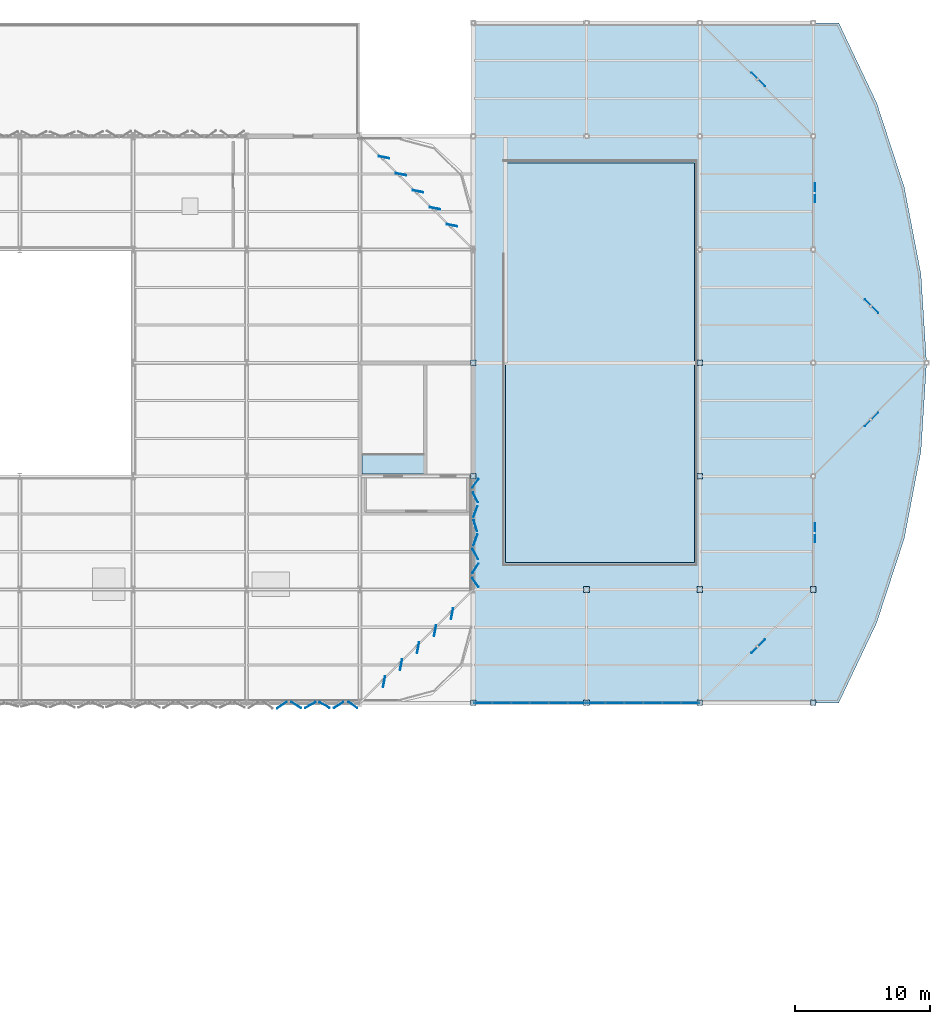
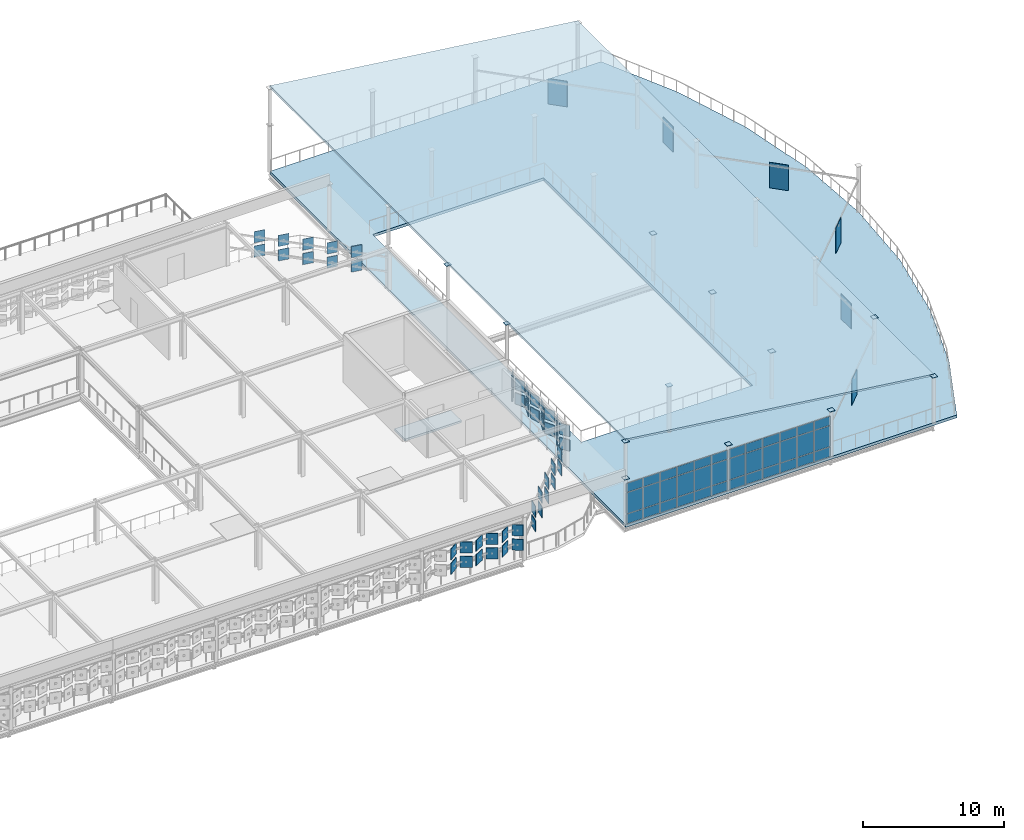
# One storey, part 46 of 65: 102 plates, 3 slabs, 2 elements without a shape of their own.
"""IFC4 building model written with IfcOpenShell, lengths in metres."""

import ifcopenshell
import ifcopenshell.guid

model = None  # the IFC model being written
_history = None  # IfcOwnerHistory: only IFC2X3 demands one
_inside = {}  # id of a spatial element -> (the spatial element, [elements in it])
_under = {}  # id of a project, library or spatial element -> (it, [spatial elements below it])
_declared = {}  # id of a project -> (the project, [libraries it declares])
_typed = {}  # id of a type object -> (the type object, [elements of that type])
_made_of = {}  # id of a material, layer set ... -> (it, [elements and type objects made of it])


def new_model(schema):
    """Start an empty IFC model of exactly this schema.

    Asked for "IFC4X3", IfcOpenShell would pick the latest addendum, in which some entities
    have other attributes; the version numbers below select the first issue.
    IFC2X3 requires an IfcOwnerHistory on every rooted entity: one is made here for all.
    """
    global model, _history
    if schema == "IFC4X3":
        model = ifcopenshell.file(schema_version=(4, 3, 0, 0))
    else:
        model = ifcopenshell.file(schema=schema)
    _inside.clear()
    _under.clear()
    _declared.clear()
    _typed.clear()
    _made_of.clear()
    _history = None
    if model.schema == "IFC2X3":
        org = make("IfcOrganization", Name="unknown")
        user = make(
            "IfcPersonAndOrganization",
            ThePerson=make("IfcPerson", FamilyName="unknown"),
            TheOrganization=org,
        )
        app = make(
            "IfcApplication",
            ApplicationDeveloper=org,
            Version="unknown",
            ApplicationFullName="unknown",
            ApplicationIdentifier="unknown",
        )
        _history = make(
            "IfcOwnerHistory",
            OwningUser=user,
            OwningApplication=app,
            ChangeAction="ADDED",
            CreationDate=0,
        )
    return model


def make(cls, **values):
    """One entity of the class cls with the attributes given. An attribute that is None is left unset."""
    return model.create_entity(
        cls, **{name: value for name, value in values.items() if value is not None}
    )


def rooted(cls, **values):
    """An entity with a GlobalId (a new one), such as an element, a storey or a relation."""
    return make(cls, GlobalId=ifcopenshell.guid.new(), OwnerHistory=_history, **values)


def si_unit(unit_type, name, prefix=None):
    """IfcSIUnit, for example si_unit("LENGTHUNIT", "METRE", prefix="MILLI")."""
    return make("IfcSIUnit", UnitType=unit_type, Prefix=prefix, Name=name)


def assignment(units):
    """IfcUnitAssignment: the units of a project."""
    return None if units is None else make("IfcUnitAssignment", Units=units)


def point(xyz):
    """IfcCartesianPoint."""
    return None if xyz is None else make("IfcCartesianPoint", Coordinates=xyz)


def direction(xyz):
    """IfcDirection."""
    return None if xyz is None else make("IfcDirection", DirectionRatios=xyz)


def frame(location, z_axis=None, x_axis=None):
    """IfcAxis2Placement3D, a coordinate frame: its origin and axes. An axis left out is left unset."""
    return make(
        "IfcAxis2Placement3D",
        Location=point(location),
        Axis=direction(z_axis),
        RefDirection=direction(x_axis),
    )


def frame_2d(location, x_axis=None):
    """IfcAxis2Placement2D, a coordinate frame in the plane: its origin and x axis."""
    return make(
        "IfcAxis2Placement2D", Location=point(location), RefDirection=direction(x_axis)
    )


def origin():
    """The frame at (0, 0, 0) with its axes left unset."""
    return frame((0.0, 0.0, 0.0))


def origin_2d():
    """The frame at (0, 0) in the plane with its x axis left unset."""
    return frame_2d((0.0, 0.0))


def place(relative_to, where):
    """IfcLocalPlacement: puts the frame where relative to a parent placement (None: the world)."""
    return make(
        "IfcLocalPlacement", PlacementRelTo=relative_to, RelativePlacement=where
    )


def context(
    kind, dimensions, precision=None, world=None, true_north=None, identifier=None
):
    """IfcGeometricRepresentationContext, for example the 3D "Model" context."""
    return make(
        "IfcGeometricRepresentationContext",
        ContextIdentifier=identifier,
        ContextType=kind,
        CoordinateSpaceDimension=dimensions,
        Precision=precision,
        WorldCoordinateSystem=world,
        TrueNorth=true_north,
    )


def subcontext(parent, identifier, kind, view, scale=None):
    """IfcGeometricRepresentationSubContext, for example "Body" below "Model"."""
    return make(
        "IfcGeometricRepresentationSubContext",
        ContextIdentifier=identifier,
        ContextType=kind,
        ParentContext=parent,
        TargetScale=scale,
        TargetView=view,
    )


def project(units=None, contexts=None):
    """IfcProject with its units and contexts."""
    return rooted(
        "IfcProject",
        Name="project",
        RepresentationContexts=contexts,
        UnitsInContext=assignment(units),
    )


def spatial(cls, under=None, at=None, **own):
    """A site, building, storey or space (cls), placed at a placement, below another one or the project."""
    s = rooted(cls, ObjectPlacement=at, **own)
    if under is not None:
        _under.setdefault(under.id(), (under, []))[1].append(s)
    return s


def polyline(points):
    """IfcPolyline through the points."""
    return make("IfcPolyline", Points=[point(p) for p in points])


def profile(cls, at=None, kind="AREA", **sizes):
    """A parametric profile (cls). Its sizes go by their IFC names, for example OverallWidth=200.0."""
    return make(cls, ProfileType=kind, Position=at, **sizes)


def rectangle(**sizes):
    """IfcRectangleProfileDef."""
    return profile("IfcRectangleProfileDef", **sizes)


def outline(outer, holes=None, kind="AREA"):
    """IfcArbitraryClosedProfileDef: a profile drawn as a closed curve; with holes, ...WithVoids."""
    if holes is None:
        return make("IfcArbitraryClosedProfileDef", ProfileType=kind, OuterCurve=outer)
    return make(
        "IfcArbitraryProfileDefWithVoids",
        ProfileType=kind,
        OuterCurve=outer,
        InnerCurves=holes,
    )


def extrude(swept, where, along, depth):
    """IfcExtrudedAreaSolid: the profile swept, set in the frame where, extruded along a direction by depth."""
    return make(
        "IfcExtrudedAreaSolid",
        SweptArea=swept,
        Position=where,
        ExtrudedDirection=direction(along),
        Depth=depth,
    )


def shape(context_of_items, identifier, shape_type, items):
    """IfcShapeRepresentation: the items that make up one representation, for example the "Body"."""
    return make(
        "IfcShapeRepresentation",
        ContextOfItems=context_of_items,
        RepresentationIdentifier=identifier,
        RepresentationType=shape_type,
        Items=items,
    )


def material(Name=None, Category=None):
    """IfcMaterial."""
    return make("IfcMaterial", Name=Name, Category=Category)


def layer(
    of_material, thickness, ventilated=None, Name=None, Category=None, Priority=None
):
    """IfcMaterialLayer: one layer of a wall or slab, of a material (None: an air gap)."""
    return make(
        "IfcMaterialLayer",
        Material=of_material,
        LayerThickness=thickness,
        IsVentilated=ventilated,
        Name=Name,
        Category=Category,
        Priority=Priority,
    )


def layer_set(layers, Name=None):
    """IfcMaterialLayerSet."""
    return make("IfcMaterialLayerSet", MaterialLayers=layers, LayerSetName=Name)


def made_of(thing, what):
    """Note that an element or type object is made of a material, layer set ...; save() writes the relation."""
    if what is not None:
        _made_of.setdefault(what.id(), (what, []))[1].append(thing)
    return thing


def type_object(cls, material=None, **own):
    """A type object (cls), such as IfcWallType, which elements share."""
    return made_of(rooted(cls, **own), material)


def element(
    cls,
    number,
    at=None,
    inside=None,
    cuts=None,
    type_object=None,
    material=None,
    context=None,
    identifier="Body",
    shape_type=None,
    held_by="IfcProductDefinitionShape",
    body=None,
    shapes=None,
    **own,
):
    """One element of the class cls, such as IfcWall. Its Tag is "e" and its number.

    at: its placement. inside: the storey or other place that contains it. cuts: it is an
    opening in that element (IfcRelVoidsElement). A single representation is given by context,
    identifier, shape_type and body (its items); several are given by shapes. held_by: the class
    of the entity that holds the representations. save() writes the other relations.
    """
    e = rooted(cls, Tag="e%d" % number, ObjectPlacement=at, **own)
    if body is not None:
        shapes = [shape(context, identifier, shape_type, body)]
    if shapes is not None:
        e.Representation = make(held_by, Representations=shapes)
    if inside is not None:
        _inside.setdefault(inside.id(), (inside, []))[1].append(e)
    if cuts is not None:
        rooted(
            "IfcRelVoidsElement", RelatingBuildingElement=cuts, RelatedOpeningElement=e
        )
    if type_object is not None:
        _typed.setdefault(type_object.id(), (type_object, []))[1].append(e)
    return made_of(e, material)


def aggregate(whole, parts):
    """IfcRelAggregates: a whole, such as a stair, and the parts it consists of."""
    return rooted("IfcRelAggregates", RelatingObject=whole, RelatedObjects=parts)


def save(model, path):
    """Write the relations noted so far, then the file.

    IfcRelAggregates (storeys below a building ...), IfcRelContainedInSpatialStructure (elements
    in a storey), IfcRelDefinesByType, IfcRelAssociatesMaterial and IfcRelDeclares: one each for
    every whole, place, type object, material and project.
    """
    for whole, parts in _under.values():
        aggregate(whole, parts)
    for where, things in _inside.values():
        rooted(
            "IfcRelContainedInSpatialStructure",
            RelatedElements=things,
            RelatingStructure=where,
        )
    for kind, things in _typed.values():
        rooted("IfcRelDefinesByType", RelatedObjects=things, RelatingType=kind)
    for what, things in _made_of.values():
        rooted("IfcRelAssociatesMaterial", RelatedObjects=things, RelatingMaterial=what)
    for by, libraries in _declared.values():
        rooted("IfcRelDeclares", RelatingContext=by, RelatedDefinitions=libraries)
    model.write(path)


model = new_model("IFC4")

# Units and contexts
model_context = context("Model", 3, precision=1e-05, world=origin(), true_north=direction((0.0, 1.0)))
body_context = subcontext(model_context, "Body", "Model", "MODEL_VIEW")
ifc_project = project(units=[si_unit("LENGTHUNIT", "METRE"), si_unit("AREAUNIT", "SQUARE_METRE"), si_unit("VOLUMEUNIT", "CUBIC_METRE"), si_unit("PLANEANGLEUNIT", "RADIAN"), si_unit("MASSUNIT", "GRAM", prefix="KILO")], contexts=[model_context])

# Site, building, storey
site_placement = place(None, origin())
site = spatial("IfcSite", under=ifc_project, at=site_placement, CompositionType="ELEMENT")
building_placement = place(site_placement, origin())
building = spatial("IfcBuilding", under=site, at=building_placement, Name="Qalvenar Corner Mobility Hub", CompositionType="ELEMENT")
storey_placement = place(building_placement, frame((0.0, 0.0, 17.39990234375)))
storey = spatial("IfcBuildingStorey", under=building, at=storey_placement, Name="L04", CompositionType="ELEMENT", Elevation=17.39990234375)

# Plates
ifc_material_1 = material(Name="Steel S355", Category="steel")
ifc_layer_1 = layer(ifc_material_1, 0.02490234375)
ifc_layer_set_1 = layer_set([ifc_layer_1], Name="Steel S355")
plate_type_1 = type_object("IfcPlateType", Name="PLT-CAP25", PredefinedType="SHEET", material=ifc_layer_set_1)
for number, where, z_axis, x_axis, name in (
    (1, (142.800048828125, 67.199951171875, 4.030029296875), (0.0, 0.0, 1.0), (1.0, 0.0, 0.0), "Hollow Column Top Cap Plate L04-G18-8"),
    (2, (151.199951171875, 67.199951171875, 4.030029296875), (0.0, 0.0, 1.0), (1.0, 0.0, 0.0), "Hollow Column Top Cap Plate L04-G19-8"),
    (3, (151.199951171875, 75.60009765625, 4.030029296875), (0.0, 0.0, 1.0), (1.0, 0.0, 0.0), "Hollow Column Top Cap Plate L04-G19-9"),
    (4, (159.60009765625, 67.199951171875, 4.030029296875), (0.0, 0.0, 1.0), (1.0, 0.0, 0.0), "Hollow Column Top Cap Plate L04-G20-8"),
    (5, (159.60009765625, 75.60009765625, 4.030029296875), (0.0, 0.0, 1.0), (1.0, 0.0, 0.0), "Hollow Column Top Cap Plate L04-G20-9"),
    (6, (159.60009765625, 84.0, 4.030029296875), (0.0, 0.0, 1.0), (1.0, 0.0, 0.0), "Hollow Column Top Cap Plate L04-G20-10"),
    (7, (159.60009765625, 92.39990234375, 4.030029296875), (0.0, 0.0, 1.0), (1.0, 0.0, 0.0), "Hollow Column Top Cap Plate L04-G20-11"),
    (8, (168.0, 67.199951171875, 4.030029296875), (0.0, 0.0, 1.0), (1.0, 0.0, 0.0), "Hollow Column Top Cap Plate L04-G21-8"),
    (9, (168.0, 75.60009765625, 4.030029296875), (0.0, 0.0, 1.0), (1.0, 0.0, 0.0), "Hollow Column Top Cap Plate L04-G21-9"),
    (10, (142.800048828125, 67.199951171875, 7.230224609375), (0.0, 0.0, 1.0), (1.0, 0.0, 0.0), "Rotunda Ridge Post Cap Plate V2R-67"),
    (11, (142.800048828125, 84.0, 7.230224609375), (0.0, 0.0, 1.0), (1.0, 0.0, 0.0), "Rotunda Ridge Post Cap Plate V2R-84"),
    (12, (142.800048828125, 92.39990234375, 7.230224609375), (0.0, 0.0, 1.0), (1.0, 0.0, 0.0), "Rotunda Ridge Post Cap Plate V2R-92"),
):
    element("IfcPlate", number, at=place(storey_placement, frame(where, z_axis=z_axis, x_axis=x_axis)), inside=storey, type_object=plate_type_1, Name=name, PredefinedType="SHEET", context=body_context, shape_type="SweptSolid", body=[
        extrude(rectangle(XDim=0.419921875, YDim=0.419921875, at=origin_2d()), origin(), (0.0, 0.0, 1.0), 0.02490234375),
    ])

# Curtain wall, plates
ifc_material_2 = material(Name="Anodised Aluminium and Low-E Glazing", Category="aluminium")
ifc_layer_2 = layer(ifc_material_2, 0.1201171875)
ifc_layer_set_2 = layer_set([ifc_layer_2], Name="Anodised Aluminium and Low-E Glazing")
curtain_wall_type = type_object("IfcCurtainWallType", Name="CW-STR-42X40", PredefinedType="NOTDEFINED", material=ifc_layer_set_2)
curtain_wall_1_placement = place(storey_placement, origin())
curtain_wall_1 = element("IfcCurtainWall", 13, at=curtain_wall_1_placement, inside=storey, type_object=curtain_wall_type, Name="Glazed Curtain Wall CW-V2-L04-S0", PredefinedType="NOTDEFINED")
ifc_material_3 = material(Name="Solar-Control Low-E Double Glazing", Category="glass")
ifc_layer_3 = layer(ifc_material_3, 0.028076171875)
ifc_layer_set_3 = layer_set([ifc_layer_3], Name="Solar-Control Low-E Double Glazing")
plate_type_2 = type_object("IfcPlateType", Name="PLT-CWP-GLZ1", PredefinedType="CURTAIN_PANEL", material=ifc_layer_set_3)
plate_1_placement = place(storey_placement, frame((143.514892578125, 67.199951171875, 0.05517578125), z_axis=(0.0, 0.0, 1.0), x_axis=(1.0, 0.0, 0.0)))
plate_1 = element("IfcPlate", 14, at=plate_1_placement, type_object=plate_type_2, Name="CW-10 panel 1.1", PredefinedType="CURTAIN_PANEL", context=body_context, shape_type="SweptSolid", body=[
    extrude(rectangle(XDim=1.31005859375, YDim=0.028076171875, at=origin_2d()), origin(), (0.0, 0.0, 1.0), 0.8173828125),
])
plate_2_placement = place(storey_placement, frame((143.514892578125, 67.199951171875, 0.927734375), z_axis=(0.0, 0.0, 1.0), x_axis=(1.0, 0.0, 0.0)))
plate_2 = element("IfcPlate", 15, at=plate_2_placement, type_object=plate_type_2, Name="CW-10 panel 1.2", PredefinedType="CURTAIN_PANEL", context=body_context, shape_type="SweptSolid", body=[
    extrude(rectangle(XDim=1.31005859375, YDim=0.028076171875, at=origin_2d()), origin(), (0.0, 0.0, 1.0), 1.794921875),
])
plate_3_placement = place(storey_placement, frame((143.514892578125, 67.199951171875, 2.777587890625), z_axis=(0.0, 0.0, 1.0), x_axis=(1.0, 0.0, 0.0)))
plate_3 = element("IfcPlate", 16, at=plate_3_placement, type_object=plate_type_2, Name="CW-10 panel 1.3", PredefinedType="CURTAIN_PANEL", context=body_context, shape_type="SweptSolid", body=[
    extrude(rectangle(XDim=1.31005859375, YDim=0.028076171875, at=origin_2d()), origin(), (0.0, 0.0, 1.0), 0.767578125),
])
plate_4_placement = place(storey_placement, frame((144.89990234375, 67.199951171875, 0.05517578125), z_axis=(0.0, 0.0, 1.0), x_axis=(1.0, 0.0, 0.0)))
plate_4 = element("IfcPlate", 17, at=plate_4_placement, type_object=plate_type_2, Name="CW-10 panel 2.1", PredefinedType="CURTAIN_PANEL", context=body_context, shape_type="SweptSolid", body=[
    extrude(rectangle(XDim=1.340087890625, YDim=0.028076171875, at=origin_2d()), origin(), (0.0, 0.0, 1.0), 0.8173828125),
])
plate_5_placement = place(storey_placement, frame((144.89990234375, 67.199951171875, 0.927734375), z_axis=(0.0, 0.0, 1.0), x_axis=(1.0, 0.0, 0.0)))
plate_5 = element("IfcPlate", 18, at=plate_5_placement, type_object=plate_type_2, Name="CW-10 panel 2.2", PredefinedType="CURTAIN_PANEL", context=body_context, shape_type="SweptSolid", body=[
    extrude(rectangle(XDim=1.340087890625, YDim=0.028076171875, at=origin_2d()), origin(), (0.0, 0.0, 1.0), 1.794921875),
])
plate_6_placement = place(storey_placement, frame((144.89990234375, 67.199951171875, 2.777587890625), z_axis=(0.0, 0.0, 1.0), x_axis=(1.0, 0.0, 0.0)))
plate_6 = element("IfcPlate", 19, at=plate_6_placement, type_object=plate_type_2, Name="CW-10 panel 2.3", PredefinedType="CURTAIN_PANEL", context=body_context, shape_type="SweptSolid", body=[
    extrude(rectangle(XDim=1.340087890625, YDim=0.028076171875, at=origin_2d()), origin(), (0.0, 0.0, 1.0), 0.767578125),
])
plate_7_placement = place(storey_placement, frame((146.300048828125, 67.199951171875, 0.05517578125), z_axis=(0.0, 0.0, 1.0), x_axis=(1.0, 0.0, 0.0)))
plate_7 = element("IfcPlate", 20, at=plate_7_placement, type_object=plate_type_2, Name="CW-10 panel 3.1", PredefinedType="CURTAIN_PANEL", context=body_context, shape_type="SweptSolid", body=[
    extrude(rectangle(XDim=1.340087890625, YDim=0.028076171875, at=origin_2d()), origin(), (0.0, 0.0, 1.0), 0.8173828125),
])
plate_8_placement = place(storey_placement, frame((146.300048828125, 67.199951171875, 0.927734375), z_axis=(0.0, 0.0, 1.0), x_axis=(1.0, 0.0, 0.0)))
plate_8 = element("IfcPlate", 21, at=plate_8_placement, type_object=plate_type_2, Name="CW-10 panel 3.2", PredefinedType="CURTAIN_PANEL", context=body_context, shape_type="SweptSolid", body=[
    extrude(rectangle(XDim=1.340087890625, YDim=0.028076171875, at=origin_2d()), origin(), (0.0, 0.0, 1.0), 1.794921875),
])
plate_9_placement = place(storey_placement, frame((146.300048828125, 67.199951171875, 2.777587890625), z_axis=(0.0, 0.0, 1.0), x_axis=(1.0, 0.0, 0.0)))
plate_9 = element("IfcPlate", 22, at=plate_9_placement, type_object=plate_type_2, Name="CW-10 panel 3.3", PredefinedType="CURTAIN_PANEL", context=body_context, shape_type="SweptSolid", body=[
    extrude(rectangle(XDim=1.340087890625, YDim=0.028076171875, at=origin_2d()), origin(), (0.0, 0.0, 1.0), 0.767578125),
])
plate_10_placement = place(storey_placement, frame((147.699951171875, 67.199951171875, 0.05517578125), z_axis=(0.0, 0.0, 1.0), x_axis=(1.0, 0.0, 0.0)))
plate_10 = element("IfcPlate", 23, at=plate_10_placement, type_object=plate_type_2, Name="CW-10 panel 4.1", PredefinedType="CURTAIN_PANEL", context=body_context, shape_type="SweptSolid", body=[
    extrude(rectangle(XDim=1.340087890625, YDim=0.028076171875, at=origin_2d()), origin(), (0.0, 0.0, 1.0), 0.8173828125),
])
plate_11_placement = place(storey_placement, frame((147.699951171875, 67.199951171875, 0.927734375), z_axis=(0.0, 0.0, 1.0), x_axis=(1.0, 0.0, 0.0)))
plate_11 = element("IfcPlate", 24, at=plate_11_placement, type_object=plate_type_2, Name="CW-10 panel 4.2", PredefinedType="CURTAIN_PANEL", context=body_context, shape_type="SweptSolid", body=[
    extrude(rectangle(XDim=1.340087890625, YDim=0.028076171875, at=origin_2d()), origin(), (0.0, 0.0, 1.0), 1.794921875),
])
plate_12_placement = place(storey_placement, frame((147.699951171875, 67.199951171875, 2.777587890625), z_axis=(0.0, 0.0, 1.0), x_axis=(1.0, 0.0, 0.0)))
plate_12 = element("IfcPlate", 25, at=plate_12_placement, type_object=plate_type_2, Name="CW-10 panel 4.3", PredefinedType="CURTAIN_PANEL", context=body_context, shape_type="SweptSolid", body=[
    extrude(rectangle(XDim=1.340087890625, YDim=0.028076171875, at=origin_2d()), origin(), (0.0, 0.0, 1.0), 0.767578125),
])
plate_13_placement = place(storey_placement, frame((149.10009765625, 67.199951171875, 0.05517578125), z_axis=(0.0, 0.0, 1.0), x_axis=(1.0, 0.0, 0.0)))
plate_13 = element("IfcPlate", 26, at=plate_13_placement, type_object=plate_type_2, Name="CW-10 panel 5.1", PredefinedType="CURTAIN_PANEL", context=body_context, shape_type="SweptSolid", body=[
    extrude(rectangle(XDim=1.340087890625, YDim=0.028076171875, at=origin_2d()), origin(), (0.0, 0.0, 1.0), 0.8173828125),
])
plate_14_placement = place(storey_placement, frame((149.10009765625, 67.199951171875, 0.927734375), z_axis=(0.0, 0.0, 1.0), x_axis=(1.0, 0.0, 0.0)))
plate_14 = element("IfcPlate", 27, at=plate_14_placement, type_object=plate_type_2, Name="CW-10 panel 5.2", PredefinedType="CURTAIN_PANEL", context=body_context, shape_type="SweptSolid", body=[
    extrude(rectangle(XDim=1.340087890625, YDim=0.028076171875, at=origin_2d()), origin(), (0.0, 0.0, 1.0), 1.794921875),
])
plate_15_placement = place(storey_placement, frame((149.10009765625, 67.199951171875, 2.777587890625), z_axis=(0.0, 0.0, 1.0), x_axis=(1.0, 0.0, 0.0)))
plate_15 = element("IfcPlate", 28, at=plate_15_placement, type_object=plate_type_2, Name="CW-10 panel 5.3", PredefinedType="CURTAIN_PANEL", context=body_context, shape_type="SweptSolid", body=[
    extrude(rectangle(XDim=1.340087890625, YDim=0.028076171875, at=origin_2d()), origin(), (0.0, 0.0, 1.0), 0.767578125),
])
plate_16_placement = place(storey_placement, frame((150.485107421875, 67.199951171875, 0.05517578125), z_axis=(0.0, 0.0, 1.0), x_axis=(1.0, 0.0, 0.0)))
plate_16 = element("IfcPlate", 29, at=plate_16_placement, type_object=plate_type_2, Name="CW-10 panel 6.1", PredefinedType="CURTAIN_PANEL", context=body_context, shape_type="SweptSolid", body=[
    extrude(rectangle(XDim=1.31005859375, YDim=0.028076171875, at=origin_2d()), origin(), (0.0, 0.0, 1.0), 0.8173828125),
])
plate_17_placement = place(storey_placement, frame((150.485107421875, 67.199951171875, 0.927734375), z_axis=(0.0, 0.0, 1.0), x_axis=(1.0, 0.0, 0.0)))
plate_17 = element("IfcPlate", 30, at=plate_17_placement, type_object=plate_type_2, Name="CW-10 panel 6.2", PredefinedType="CURTAIN_PANEL", context=body_context, shape_type="SweptSolid", body=[
    extrude(rectangle(XDim=1.31005859375, YDim=0.028076171875, at=origin_2d()), origin(), (0.0, 0.0, 1.0), 1.794921875),
])
plate_18_placement = place(storey_placement, frame((150.485107421875, 67.199951171875, 2.777587890625), z_axis=(0.0, 0.0, 1.0), x_axis=(1.0, 0.0, 0.0)))
plate_18 = element("IfcPlate", 31, at=plate_18_placement, type_object=plate_type_2, Name="CW-10 panel 6.3", PredefinedType="CURTAIN_PANEL", context=body_context, shape_type="SweptSolid", body=[
    extrude(rectangle(XDim=1.31005859375, YDim=0.028076171875, at=origin_2d()), origin(), (0.0, 0.0, 1.0), 0.767578125),
])
aggregate(curtain_wall_1, [plate_1, plate_2, plate_3, plate_4, plate_5, plate_6, plate_7, plate_8, plate_9, plate_10, plate_11, plate_12, plate_13, plate_14, plate_15, plate_16, plate_17, plate_18])

curtain_wall_2_placement = place(storey_placement, origin())
curtain_wall_2 = element("IfcCurtainWall", 32, at=curtain_wall_2_placement, inside=storey, type_object=curtain_wall_type, Name="Glazed Curtain Wall CW-V2-L04-S1", PredefinedType="NOTDEFINED")
plate_19_placement = place(storey_placement, frame((151.9150390625, 67.199951171875, 0.05517578125), z_axis=(0.0, 0.0, 1.0), x_axis=(1.0, 0.0, 0.0)))
plate_19 = element("IfcPlate", 33, at=plate_19_placement, type_object=plate_type_2, Name="CW-10 panel 1.1", PredefinedType="CURTAIN_PANEL", context=body_context, shape_type="SweptSolid", body=[
    extrude(rectangle(XDim=1.31005859375, YDim=0.028076171875, at=origin_2d()), origin(), (0.0, 0.0, 1.0), 0.8173828125),
])
plate_20_placement = place(storey_placement, frame((151.9150390625, 67.199951171875, 0.927734375), z_axis=(0.0, 0.0, 1.0), x_axis=(1.0, 0.0, 0.0)))
plate_20 = element("IfcPlate", 34, at=plate_20_placement, type_object=plate_type_2, Name="CW-10 panel 1.2", PredefinedType="CURTAIN_PANEL", context=body_context, shape_type="SweptSolid", body=[
    extrude(rectangle(XDim=1.31005859375, YDim=0.028076171875, at=origin_2d()), origin(), (0.0, 0.0, 1.0), 1.794921875),
])
plate_21_placement = place(storey_placement, frame((151.9150390625, 67.199951171875, 2.777587890625), z_axis=(0.0, 0.0, 1.0), x_axis=(1.0, 0.0, 0.0)))
plate_21 = element("IfcPlate", 35, at=plate_21_placement, type_object=plate_type_2, Name="CW-10 panel 1.3", PredefinedType="CURTAIN_PANEL", context=body_context, shape_type="SweptSolid", body=[
    extrude(rectangle(XDim=1.31005859375, YDim=0.028076171875, at=origin_2d()), origin(), (0.0, 0.0, 1.0), 0.767578125),
])
plate_22_placement = place(storey_placement, frame((153.300048828125, 67.199951171875, 0.05517578125), z_axis=(0.0, 0.0, 1.0), x_axis=(1.0, 0.0, 0.0)))
plate_22 = element("IfcPlate", 36, at=plate_22_placement, type_object=plate_type_2, Name="CW-10 panel 2.1", PredefinedType="CURTAIN_PANEL", context=body_context, shape_type="SweptSolid", body=[
    extrude(rectangle(XDim=1.340087890625, YDim=0.028076171875, at=origin_2d()), origin(), (0.0, 0.0, 1.0), 0.8173828125),
])
plate_23_placement = place(storey_placement, frame((153.300048828125, 67.199951171875, 0.927734375), z_axis=(0.0, 0.0, 1.0), x_axis=(1.0, 0.0, 0.0)))
plate_23 = element("IfcPlate", 37, at=plate_23_placement, type_object=plate_type_2, Name="CW-10 panel 2.2", PredefinedType="CURTAIN_PANEL", context=body_context, shape_type="SweptSolid", body=[
    extrude(rectangle(XDim=1.340087890625, YDim=0.028076171875, at=origin_2d()), origin(), (0.0, 0.0, 1.0), 1.794921875),
])
plate_24_placement = place(storey_placement, frame((153.300048828125, 67.199951171875, 2.777587890625), z_axis=(0.0, 0.0, 1.0), x_axis=(1.0, 0.0, 0.0)))
plate_24 = element("IfcPlate", 38, at=plate_24_placement, type_object=plate_type_2, Name="CW-10 panel 2.3", PredefinedType="CURTAIN_PANEL", context=body_context, shape_type="SweptSolid", body=[
    extrude(rectangle(XDim=1.340087890625, YDim=0.028076171875, at=origin_2d()), origin(), (0.0, 0.0, 1.0), 0.767578125),
])
plate_25_placement = place(storey_placement, frame((154.699951171875, 67.199951171875, 0.05517578125), z_axis=(0.0, 0.0, 1.0), x_axis=(1.0, 0.0, 0.0)))
plate_25 = element("IfcPlate", 39, at=plate_25_placement, type_object=plate_type_2, Name="CW-10 panel 3.1", PredefinedType="CURTAIN_PANEL", context=body_context, shape_type="SweptSolid", body=[
    extrude(rectangle(XDim=1.340087890625, YDim=0.028076171875, at=origin_2d()), origin(), (0.0, 0.0, 1.0), 0.8173828125),
])
plate_26_placement = place(storey_placement, frame((154.699951171875, 67.199951171875, 0.927734375), z_axis=(0.0, 0.0, 1.0), x_axis=(1.0, 0.0, 0.0)))
plate_26 = element("IfcPlate", 40, at=plate_26_placement, type_object=plate_type_2, Name="CW-10 panel 3.2", PredefinedType="CURTAIN_PANEL", context=body_context, shape_type="SweptSolid", body=[
    extrude(rectangle(XDim=1.340087890625, YDim=0.028076171875, at=origin_2d()), origin(), (0.0, 0.0, 1.0), 1.794921875),
])
plate_27_placement = place(storey_placement, frame((154.699951171875, 67.199951171875, 2.777587890625), z_axis=(0.0, 0.0, 1.0), x_axis=(1.0, 0.0, 0.0)))
plate_27 = element("IfcPlate", 41, at=plate_27_placement, type_object=plate_type_2, Name="CW-10 panel 3.3", PredefinedType="CURTAIN_PANEL", context=body_context, shape_type="SweptSolid", body=[
    extrude(rectangle(XDim=1.340087890625, YDim=0.028076171875, at=origin_2d()), origin(), (0.0, 0.0, 1.0), 0.767578125),
])
plate_28_placement = place(storey_placement, frame((156.10009765625, 67.199951171875, 0.05517578125), z_axis=(0.0, 0.0, 1.0), x_axis=(1.0, 0.0, 0.0)))
plate_28 = element("IfcPlate", 42, at=plate_28_placement, type_object=plate_type_2, Name="CW-10 panel 4.1", PredefinedType="CURTAIN_PANEL", context=body_context, shape_type="SweptSolid", body=[
    extrude(rectangle(XDim=1.340087890625, YDim=0.028076171875, at=origin_2d()), origin(), (0.0, 0.0, 1.0), 0.8173828125),
])
plate_29_placement = place(storey_placement, frame((156.10009765625, 67.199951171875, 0.927734375), z_axis=(0.0, 0.0, 1.0), x_axis=(1.0, 0.0, 0.0)))
plate_29 = element("IfcPlate", 43, at=plate_29_placement, type_object=plate_type_2, Name="CW-10 panel 4.2", PredefinedType="CURTAIN_PANEL", context=body_context, shape_type="SweptSolid", body=[
    extrude(rectangle(XDim=1.340087890625, YDim=0.028076171875, at=origin_2d()), origin(), (0.0, 0.0, 1.0), 1.794921875),
])
plate_30_placement = place(storey_placement, frame((156.10009765625, 67.199951171875, 2.777587890625), z_axis=(0.0, 0.0, 1.0), x_axis=(1.0, 0.0, 0.0)))
plate_30 = element("IfcPlate", 44, at=plate_30_placement, type_object=plate_type_2, Name="CW-10 panel 4.3", PredefinedType="CURTAIN_PANEL", context=body_context, shape_type="SweptSolid", body=[
    extrude(rectangle(XDim=1.340087890625, YDim=0.028076171875, at=origin_2d()), origin(), (0.0, 0.0, 1.0), 0.767578125),
])
plate_31_placement = place(storey_placement, frame((157.5, 67.199951171875, 0.05517578125), z_axis=(0.0, 0.0, 1.0), x_axis=(1.0, 0.0, 0.0)))
plate_31 = element("IfcPlate", 45, at=plate_31_placement, type_object=plate_type_2, Name="CW-10 panel 5.1", PredefinedType="CURTAIN_PANEL", context=body_context, shape_type="SweptSolid", body=[
    extrude(rectangle(XDim=1.340087890625, YDim=0.028076171875, at=origin_2d()), origin(), (0.0, 0.0, 1.0), 0.8173828125),
])
plate_32_placement = place(storey_placement, frame((157.5, 67.199951171875, 0.927734375), z_axis=(0.0, 0.0, 1.0), x_axis=(1.0, 0.0, 0.0)))
plate_32 = element("IfcPlate", 46, at=plate_32_placement, type_object=plate_type_2, Name="CW-10 panel 5.2", PredefinedType="CURTAIN_PANEL", context=body_context, shape_type="SweptSolid", body=[
    extrude(rectangle(XDim=1.340087890625, YDim=0.028076171875, at=origin_2d()), origin(), (0.0, 0.0, 1.0), 1.794921875),
])
plate_33_placement = place(storey_placement, frame((157.5, 67.199951171875, 2.777587890625), z_axis=(0.0, 0.0, 1.0), x_axis=(1.0, 0.0, 0.0)))
plate_33 = element("IfcPlate", 47, at=plate_33_placement, type_object=plate_type_2, Name="CW-10 panel 5.3", PredefinedType="CURTAIN_PANEL", context=body_context, shape_type="SweptSolid", body=[
    extrude(rectangle(XDim=1.340087890625, YDim=0.028076171875, at=origin_2d()), origin(), (0.0, 0.0, 1.0), 0.767578125),
])
plate_34_placement = place(storey_placement, frame((158.885009765625, 67.199951171875, 0.05517578125), z_axis=(0.0, 0.0, 1.0), x_axis=(1.0, 0.0, 0.0)))
plate_34 = element("IfcPlate", 48, at=plate_34_placement, type_object=plate_type_2, Name="CW-10 panel 6.1", PredefinedType="CURTAIN_PANEL", context=body_context, shape_type="SweptSolid", body=[
    extrude(rectangle(XDim=1.31005859375, YDim=0.028076171875, at=origin_2d()), origin(), (0.0, 0.0, 1.0), 0.8173828125),
])
plate_35_placement = place(storey_placement, frame((158.885009765625, 67.199951171875, 0.927734375), z_axis=(0.0, 0.0, 1.0), x_axis=(1.0, 0.0, 0.0)))
plate_35 = element("IfcPlate", 49, at=plate_35_placement, type_object=plate_type_2, Name="CW-10 panel 6.2", PredefinedType="CURTAIN_PANEL", context=body_context, shape_type="SweptSolid", body=[
    extrude(rectangle(XDim=1.31005859375, YDim=0.028076171875, at=origin_2d()), origin(), (0.0, 0.0, 1.0), 1.794921875),
])
plate_36_placement = place(storey_placement, frame((158.885009765625, 67.199951171875, 2.777587890625), z_axis=(0.0, 0.0, 1.0), x_axis=(1.0, 0.0, 0.0)))
plate_36 = element("IfcPlate", 50, at=plate_36_placement, type_object=plate_type_2, Name="CW-10 panel 6.3", PredefinedType="CURTAIN_PANEL", context=body_context, shape_type="SweptSolid", body=[
    extrude(rectangle(XDim=1.31005859375, YDim=0.028076171875, at=origin_2d()), origin(), (0.0, 0.0, 1.0), 0.767578125),
])
aggregate(curtain_wall_2, [plate_19, plate_20, plate_21, plate_22, plate_23, plate_24, plate_25, plate_26, plate_27, plate_28, plate_29, plate_30, plate_31, plate_32, plate_33, plate_34, plate_35, plate_36])

# Plates
ifc_material_4 = material(Name="Perforated Bronze-Anodised Aluminium", Category="aluminium")
ifc_layer_4 = layer(ifc_material_4, 0.030029296875)
ifc_layer_set_4 = layer_set([ifc_layer_4], Name="Perforated Bronze-Anodised Aluminium")
plate_type_3 = type_object("IfcPlateType", Name="PLT-SCR-ROT", PredefinedType="SHEET", material=ifc_layer_set_4)
for number, where, z_axis, x_axis, name in (
    (51, (163.919921875, 71.39990234375, 0.85009765625), (0.0, 0.0, 1.0), (0.707106781187, 0.707106781187, 0.0), "Rotunda Sun Screen SC1-L04-1"),
    (52, (168.1201171875, 79.800048828125, 0.85009765625), (0.0, 0.0, 1.0), (0.0, 1.0, 0.0), "Rotunda Sun Screen SC1-L04-2"),
    (53, (172.320068359375, 88.199951171875, 0.85009765625), (0.0, 0.0, 1.0), (0.707106781187, 0.707106781187, 0.0), "Rotunda Sun Screen SC1-L04-3"),
    (54, (172.320068359375, 96.60009765625, 0.85009765625), (0.0, 0.0, 1.0), (-0.707106781187, 0.707106781187, 0.0), "Rotunda Sun Screen SC1-L04-4"),
    (55, (168.1201171875, 105.0, 0.85009765625), (0.0, 0.0, 1.0), (0.0, 1.0, 0.0), "Rotunda Sun Screen SC1-L04-5"),
    (56, (163.919921875, 113.39990234375, 0.85009765625), (0.0, 0.0, 1.0), (-0.707106781187, 0.707106781187, 0.0), "Rotunda Sun Screen SC1-L04-6"),
):
    element("IfcPlate", number, at=place(storey_placement, frame(where, z_axis=z_axis, x_axis=x_axis)), inside=storey, type_object=plate_type_3, Name=name, PredefinedType="SHEET", context=body_context, shape_type="SweptSolid", body=[
        extrude(rectangle(XDim=1.39990234375, YDim=0.030029296875, at=origin_2d()), origin(), (0.0, 0.0, 1.0), 2.199951171875),
    ])
ifc_material_5 = material(Name="Champagne-Silver Brushed Aluminium", Category="aluminium")
ifc_layer_5 = layer(ifc_material_5, 0.048095703125)
ifc_layer_set_5 = layer_set([ifc_layer_5], Name="Champagne-Silver Brushed Aluminium")
plate_type_4 = type_object("IfcPlateType", Name="PLT-XC-L4-CRN", PredefinedType="SHEET", material=ifc_layer_set_5)
for number, where, z_axis, x_axis, name in (
    (57, (132.824951171875, 67.0400390625, 1.02001953125), (0.0, 0.0, 1.0), (0.854005138885, 0.520264569962, 0.0), "Hinged Facade Panel FP-L04-1205"),
    (58, (132.824951171875, 67.0400390625, 2.27001953125), (0.0, 0.0, 1.0), (0.854005138885, 0.520264569962, 0.0), "Hinged Facade Panel FP-L04-1206"),
    (59, (133.875, 67.0400390625, 1.02001953125), (0.0, 0.0, 1.0), (0.819152044289, -0.573576436351, 0.0), "Hinged Facade Panel FP-L04-1207"),
    (60, (133.875, 67.0400390625, 2.27001953125), (0.0, 0.0, 1.0), (0.819152044289, -0.573576436351, 0.0), "Hinged Facade Panel FP-L04-1208"),
    (61, (142.9599609375, 76.125, 1.02001953125), (0.0, 0.0, 1.0), (-0.57157316004, 0.820551109147, 0.0), "Hinged Facade Panel FP-L04-1353"),
    (62, (142.9599609375, 76.125, 2.27001953125), (0.0, 0.0, 1.0), (-0.57157316004, 0.820551109147, 0.0), "Hinged Facade Panel FP-L04-1354"),
    (63, (142.9599609375, 77.175048828125, 1.02001953125), (0.0, 0.0, 1.0), (0.53862374112, 0.842546417417, 0.0), "Hinged Facade Panel FP-L04-1355"),
    (64, (142.9599609375, 77.175048828125, 2.27001953125), (0.0, 0.0, 1.0), (0.53862374112, 0.842546417417, 0.0), "Hinged Facade Panel FP-L04-1356"),
    (65, (142.9599609375, 82.425048828125, 1.02001953125), (0.0, 0.0, 1.0), (-0.446666338461, 0.894700610308, 0.0), "Hinged Facade Panel FP-L04-1365"),
    (66, (142.9599609375, 82.425048828125, 2.27001953125), (0.0, 0.0, 1.0), (-0.446666338461, 0.894700610308, 0.0), "Hinged Facade Panel FP-L04-1366"),
    (67, (142.9599609375, 83.47509765625, 1.02001953125), (0.0, 0.0, 1.0), (0.572575225515, 0.819852188584, 0.0), "Hinged Facade Panel FP-L04-1367"),
    (68, (142.9599609375, 83.47509765625, 2.27001953125), (0.0, 0.0, 1.0), (0.572575225515, 0.819852188584, 0.0), "Hinged Facade Panel FP-L04-1368"),
    (69, (136.193115234375, 68.766845703125, 1.02001953125), (0.0, 0.0, 1.0), (0.190808995377, 0.981627183448, 0.0), "Corner Hinged Panel FPC-L04-1379"),
    (70, (137.453125, 70.02685546875, 1.02001953125), (0.0, 0.0, 1.0), (0.190808995377, 0.981627183448, 0.0), "Corner Hinged Panel FPC-L04-1380"),
    (71, (138.713134765625, 71.286865234375, 1.02001953125), (0.0, 0.0, 1.0), (0.190808995377, 0.981627183448, 0.0), "Corner Hinged Panel FPC-L04-1381"),
    (72, (139.97314453125, 72.546875, 1.02001953125), (0.0, 0.0, 1.0), (0.190808995377, 0.981627183448, 0.0), "Corner Hinged Panel FPC-L04-1382"),
    (73, (141.233154296875, 73.806884765625, 1.02001953125), (0.0, 0.0, 1.0), (0.190808995377, 0.981627183448, 0.0), "Corner Hinged Panel FPC-L04-1383"),
    (74, (136.193115234375, 68.766845703125, 2.27001953125), (0.0, 0.0, 1.0), (0.190808995377, 0.981627183448, 0.0), "Corner Hinged Panel FPC-L04-1384"),
    (75, (137.453125, 70.02685546875, 2.27001953125), (0.0, 0.0, 1.0), (0.190808995377, 0.981627183448, 0.0), "Corner Hinged Panel FPC-L04-1385"),
    (76, (138.713134765625, 71.286865234375, 2.27001953125), (0.0, 0.0, 1.0), (0.190808995377, 0.981627183448, 0.0), "Corner Hinged Panel FPC-L04-1386"),
    (77, (139.97314453125, 72.546875, 2.27001953125), (0.0, 0.0, 1.0), (0.190808995377, 0.981627183448, 0.0), "Corner Hinged Panel FPC-L04-1387"),
    (78, (141.233154296875, 73.806884765625, 2.27001953125), (0.0, 0.0, 1.0), (0.190808995377, 0.981627183448, 0.0), "Corner Hinged Panel FPC-L04-1388"),
    (79, (141.233154296875, 102.593017578125, 1.02001953125), (0.0, 0.0, 1.0), (-0.981627183448, 0.190808995377, 0.0), "Corner Hinged Panel FPC-L04-1389"),
    (80, (139.97314453125, 103.85302734375, 1.02001953125), (0.0, 0.0, 1.0), (-0.981627183448, 0.190808995377, 0.0), "Corner Hinged Panel FPC-L04-1390"),
    (81, (138.713134765625, 105.113037109375, 1.02001953125), (0.0, 0.0, 1.0), (-0.981627183448, 0.190808995377, 0.0), "Corner Hinged Panel FPC-L04-1391"),
    (82, (137.453125, 106.373046875, 1.02001953125), (0.0, 0.0, 1.0), (-0.981627183448, 0.190808995377, 0.0), "Corner Hinged Panel FPC-L04-1392"),
    (83, (136.193115234375, 107.633056640625, 1.02001953125), (0.0, 0.0, 1.0), (-0.981627183448, 0.190808995377, 0.0), "Corner Hinged Panel FPC-L04-1393"),
    (84, (141.233154296875, 102.593017578125, 2.27001953125), (0.0, 0.0, 1.0), (-0.981627183448, 0.190808995377, 0.0), "Corner Hinged Panel FPC-L04-1394"),
    (85, (139.97314453125, 103.85302734375, 2.27001953125), (0.0, 0.0, 1.0), (-0.981627183448, 0.190808995377, 0.0), "Corner Hinged Panel FPC-L04-1395"),
    (86, (138.713134765625, 105.113037109375, 2.27001953125), (0.0, 0.0, 1.0), (-0.981627183448, 0.190808995377, 0.0), "Corner Hinged Panel FPC-L04-1396"),
    (87, (137.453125, 106.373046875, 2.27001953125), (0.0, 0.0, 1.0), (-0.981627183448, 0.190808995377, 0.0), "Corner Hinged Panel FPC-L04-1397"),
    (88, (136.193115234375, 107.633056640625, 2.27001953125), (0.0, 0.0, 1.0), (-0.981627183448, 0.190808995377, 0.0), "Corner Hinged Panel FPC-L04-1398"),
):
    element("IfcPlate", number, at=place(storey_placement, frame(where, z_axis=z_axis, x_axis=x_axis)), inside=storey, type_object=plate_type_4, Name=name, PredefinedType="SHEET", context=body_context, shape_type="SweptSolid", body=[
        extrude(rectangle(XDim=0.800048828125, YDim=0.048095703125, at=origin_2d()), origin(), (0.0, 0.0, 1.0), 0.9599609375),
    ])
ifc_layer_6 = layer(ifc_material_5, 0.0458984375)
ifc_layer_set_6 = layer_set([ifc_layer_6], Name="Champagne-Silver Brushed Aluminium")
plate_type_5 = type_object("IfcPlateType", Name="PLT-XC-L4-STD", PredefinedType="SHEET", material=ifc_layer_set_6)
for number, where, z_axis, x_axis, name in (
    (89, (128.625, 67.0400390625, 1.02001953125), (0.0, 0.0, 1.0), (0.826884319778, 0.562372049186, 0.0), "Hinged Facade Panel FP-L04-1197"),
    (90, (128.625, 67.0400390625, 2.27001953125), (0.0, 0.0, 1.0), (0.826884319778, 0.562372049186, 0.0), "Hinged Facade Panel FP-L04-1198"),
    (91, (129.675048828125, 67.0400390625, 1.02001953125), (0.0, 0.0, 1.0), (0.849340400263, -0.527845511945, 0.0), "Hinged Facade Panel FP-L04-1199"),
    (92, (129.675048828125, 67.0400390625, 2.27001953125), (0.0, 0.0, 1.0), (0.849340400263, -0.527845511945, 0.0), "Hinged Facade Panel FP-L04-1200"),
    (93, (130.72509765625, 67.0400390625, 1.02001953125), (0.0, 0.0, 1.0), (0.872666514903, 0.488316653174, 0.0), "Hinged Facade Panel FP-L04-1201"),
    (94, (130.72509765625, 67.0400390625, 2.27001953125), (0.0, 0.0, 1.0), (0.872666514903, 0.488316653174, 0.0), "Hinged Facade Panel FP-L04-1202"),
    (95, (131.77490234375, 67.0400390625, 1.02001953125), (0.0, 0.0, 1.0), (0.876390748574, -0.481600722397, 0.0), "Hinged Facade Panel FP-L04-1203"),
    (96, (131.77490234375, 67.0400390625, 2.27001953125), (0.0, 0.0, 1.0), (0.876390748574, -0.481600722397, 0.0), "Hinged Facade Panel FP-L04-1204"),
    (97, (142.9599609375, 78.22509765625, 1.02001953125), (0.0, 0.0, 1.0), (-0.463450699766, 0.886122705322, 0.0), "Hinged Facade Panel FP-L04-1357"),
    (98, (142.9599609375, 78.22509765625, 2.27001953125), (0.0, 0.0, 1.0), (-0.463450699766, 0.886122705322, 0.0), "Hinged Facade Panel FP-L04-1358"),
    (99, (142.9599609375, 79.27490234375, 1.02001953125), (0.0, 0.0, 1.0), (0.340215433792, 0.940347520127, 0.0), "Hinged Facade Panel FP-L04-1359"),
    (100, (142.9599609375, 79.27490234375, 2.27001953125), (0.0, 0.0, 1.0), (0.340215433792, 0.940347520127, 0.0), "Hinged Facade Panel FP-L04-1360"),
    (101, (142.9599609375, 80.324951171875, 1.02001953125), (0.0, 0.0, 1.0), (-0.284015344704, 0.958819734868, 0.0), "Hinged Facade Panel FP-L04-1361"),
    (102, (142.9599609375, 80.324951171875, 2.27001953125), (0.0, 0.0, 1.0), (-0.284015344704, 0.958819734868, 0.0), "Hinged Facade Panel FP-L04-1362"),
    (103, (142.9599609375, 81.375, 1.02001953125), (0.0, 0.0, 1.0), (0.342020143326, 0.939692620786, 0.0), "Hinged Facade Panel FP-L04-1363"),
    (104, (142.9599609375, 81.375, 2.27001953125), (0.0, 0.0, 1.0), (0.342020143326, 0.939692620786, 0.0), "Hinged Facade Panel FP-L04-1364"),
):
    element("IfcPlate", number, at=place(storey_placement, frame(where, z_axis=z_axis, x_axis=x_axis)), inside=storey, type_object=plate_type_5, Name=name, PredefinedType="SHEET", context=body_context, shape_type="SweptSolid", body=[
        extrude(rectangle(XDim=0.860107421875, YDim=0.0458984375, at=origin_2d()), origin(), (0.0, 0.0, 1.0), 0.9599609375),
    ])

# Slabs
ifc_material_6 = material(Name="Concrete C35/45", Category="concrete")
ifc_layer_7 = layer(ifc_material_6, 0.239990234375)
ifc_layer_set_7 = layer_set([ifc_layer_7], Name="Concrete C35/45")
slab_type_1 = type_object("IfcSlabType", Name="SLB-COMP200", PredefinedType="FLOOR", material=ifc_layer_set_7)
slab_1_placement = place(storey_placement, frame((0.0, 0.0, -0.239990234375)))
element("IfcSlab", 105, at=slab_1_placement, inside=storey, type_object=slab_type_1, Name="Rotunda Floor Slab V2-L04", PredefinedType="FLOOR", context=body_context, shape_type="SweptSolid", body=[
    extrude(outline(polyline([(142.800048828125, 67.199951171875), (169.8857421875, 67.199951171875), (172.701416015625, 73.13916015625), (174.7451171875, 79.3857421875), (175.984619140625, 85.840576171875), (176.39990234375, 92.39990234375), (175.984619140625, 98.95947265625), (174.7451171875, 105.414306640625), (172.701416015625, 111.660888671875), (169.8857421875, 117.60009765625), (142.800048828125, 117.60009765625), (142.800048828125, 67.199951171875)]), holes=[polyline([(145.199951171875, 77.60009765625), (159.199951171875, 77.60009765625), (159.199951171875, 107.199951171875), (145.199951171875, 107.199951171875), (145.199951171875, 77.60009765625)])]), origin(), (0.0, 0.0, 1.0), 0.239990234375),
])
ifc_layer_8 = layer(ifc_material_6, 0.175048828125)
ifc_layer_set_8 = layer_set([ifc_layer_8], Name="Concrete C35/45")
slab_type_2 = type_object("IfcSlabType", Name="SLB-LND200", PredefinedType="LANDING", material=ifc_layer_set_8)
slab_2_placement = place(storey_placement, frame((0.0, 0.0, -0.1748046875)))
element("IfcSlab", 106, at=slab_2_placement, inside=storey, type_object=slab_type_2, Name="Core Stair Arrival Landing C4-L04", PredefinedType="LANDING", context=body_context, shape_type="SweptSolid", body=[
    extrude(outline(polyline([(134.550048828125, 84.14990234375), (139.169921875, 84.14990234375), (139.169921875, 85.64990234375), (134.550048828125, 85.64990234375), (134.550048828125, 84.14990234375)])), origin(), (0.0, 0.0, 1.0), 0.1748046875),
])
ifc_material_7 = material(Name="Concrete C35/45", Category="concrete")
ifc_layer_9 = layer(ifc_material_7, 0.169921875)
ifc_layer_set_9 = layer_set([ifc_layer_9], Name="Concrete C35/45")
slab_type_3 = type_object("IfcSlabType", Name="SLB-ROOF170", PredefinedType="ROOF", material=ifc_layer_set_9)
slab_3_placement = place(storey_placement, frame((142.800048828125, 67.199951171875, 7.400146484375), z_axis=(0.125970885569, 0.0, 0.99203393893), x_axis=(0.99203393893, 0.0, -0.125970885569)))
element("IfcSlab", 107, at=slab_3_placement, inside=storey, type_object=slab_type_3, Name="Rotunda Canopy Roof Slab V2", PredefinedType="ROOF", context=body_context, shape_type="SweptSolid", body=[
    extrude(outline(polyline([(0.0, 0.0), (25.402307504777365, 0.0), (25.402307504777365, 50.400146484375), (0.0, 50.400146484375), (0.0, 0.0)])), origin(), (0.0, 0.0, -1.0), 0.169921875),
])

save(model, "model.ifc")
